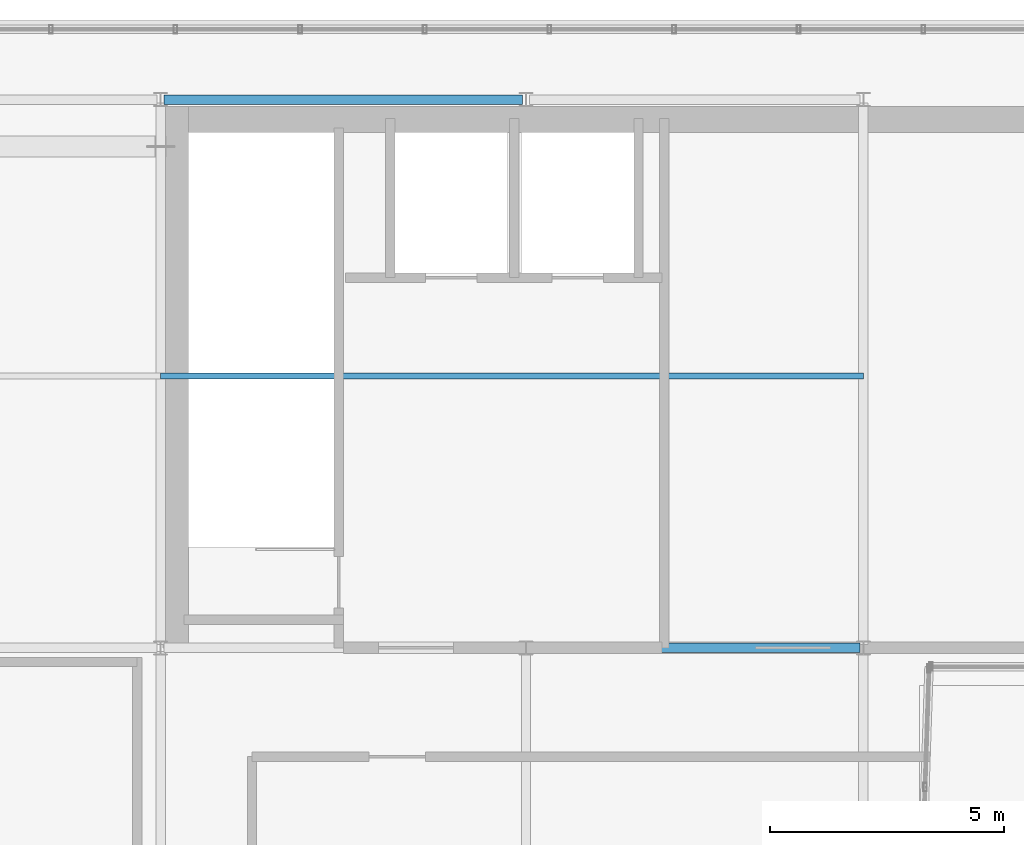
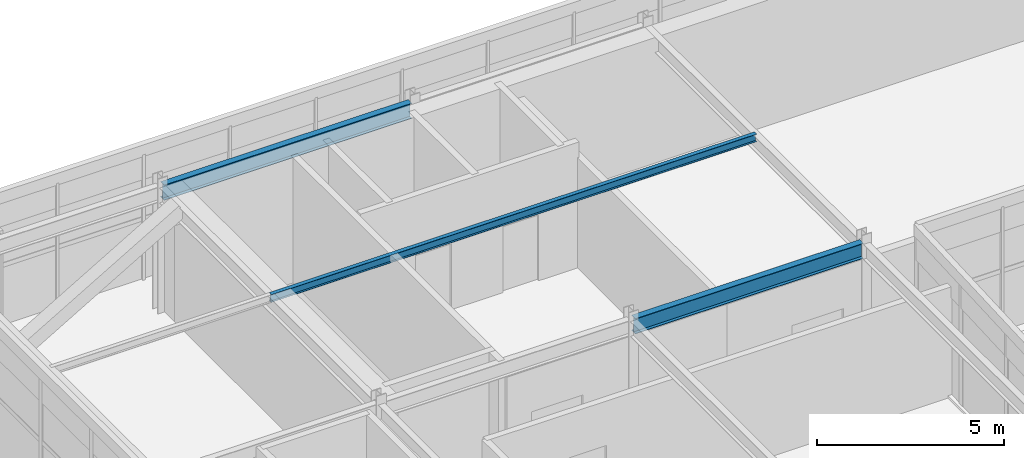
# One storey, part 12 of 37: 2 beams, 1 member.
"""IFC4 building model written with IfcOpenShell, lengths in metres."""

from ifc_helpers import new_model, si_unit, direction, frame, origin, origin_2d, place, context, subcontext, project, spatial, i_section, extrude, source, transform, mapped, material, material_profile, profile_set, type_object, element, save


model = new_model("IFC4")

# Units and contexts
model_context = context("Model", 3, precision=1e-05, world=origin(), true_north=direction((0.0, 1.0)))
body_context = subcontext(model_context, "Body", "Model", "MODEL_VIEW")
ifc_project = project(units=[si_unit("LENGTHUNIT", "METRE"), si_unit("AREAUNIT", "SQUARE_METRE"), si_unit("VOLUMEUNIT", "CUBIC_METRE"), si_unit("PLANEANGLEUNIT", "RADIAN"), si_unit("MASSUNIT", "GRAM", prefix="KILO")], contexts=[model_context])

# Site, building, storey
site_placement = place(None, origin())
site = spatial("IfcSite", under=ifc_project, at=site_placement, CompositionType="ELEMENT")
building_placement = place(site_placement, origin())
building = spatial("IfcBuilding", under=site, at=building_placement, Name="Trelvane Seafront Commons", CompositionType="ELEMENT")
storey_placement = place(building_placement, frame((0.0, 0.0, 303.5)))
storey = spatial("IfcBuildingStorey", under=building, at=storey_placement, Name="L79", CompositionType="ELEMENT", Elevation=303.5)

# Beams
ifc_material = material(Name="Steel SM355 (S355)", Category="steel")
ifc_material_profile_1 = material_profile(ifc_material, i_section(OverallWidth=0.199951171875, OverallDepth=0.5, WebThickness=0.010009765625, FlangeThickness=0.01611328125, at=origin_2d()), Name="H-500x200x10x16")
ifc_profile_set_1 = profile_set([ifc_material_profile_1], Name="Steel SM355 (S355)")
beam_type = type_object("IfcBeamType", Name="STR-CROWN-FRAME-RING", PredefinedType="SPANDREL", material=ifc_profile_set_1)
shared_shape_1 = source(origin(), body_context, "Body", "SweptSolid", [
    extrude(i_section(OverallWidth=0.199951171875, OverallDepth=0.5, WebThickness=0.010009765625, FlangeThickness=0.01611328125, at=origin_2d()), origin(), (0.0, 0.0, 1.0), 7.64990234375),
])
beam_1_placement = place(storey_placement, frame((15.675048828125, 45.10009765625, 3.85009765625), z_axis=(1.0, 0.0, 0.0), x_axis=(0.0, 1.0, 0.0)))
element("IfcBeam", 1, at=beam_1_placement, inside=storey, type_object=beam_type, Name="L79 CROWN FRAME Ring Beam G-16", PredefinedType="SPANDREL", context=body_context, shape_type="MappedRepresentation", body=[
    mapped(shared_shape_1, transform((0.0, 0.0, 0.0), x_axis=(1.0, 0.0, 0.0), y_axis=(0.0, 1.0, 0.0), z_axis=(0.0, 0.0, 1.0), scale=1.0)),
])
shared_shape_2 = source(origin(), body_context, "Body", "SweptSolid", [
    extrude(i_section(OverallWidth=0.199951171875, OverallDepth=0.5, WebThickness=0.010009765625, FlangeThickness=0.01611328125, at=origin_2d()), origin(), (0.0, 0.0, 1.0), 7.0498046875),
])
beam_2_placement = place(storey_placement, frame((23.47509765625, 33.39990234375, 3.85009765625), z_axis=(1.0, 0.0, 0.0), x_axis=(0.0, 1.0, 0.0)))
element("IfcBeam", 2, at=beam_2_placement, inside=storey, type_object=beam_type, Name="L79 CROWN FRAME Ring Beam G-10", PredefinedType="SPANDREL", context=body_context, shape_type="MappedRepresentation", body=[
    mapped(shared_shape_2, transform((0.0, 0.0, 0.0), x_axis=(1.0, 0.0, 0.0), y_axis=(0.0, 1.0, 0.0), z_axis=(0.0, 0.0, 1.0), scale=1.0)),
])

# Member
ifc_material_profile_2 = material_profile(ifc_material, i_section(OverallWidth=0.125, OverallDepth=0.25, WebThickness=0.006103515625, FlangeThickness=0.009033203125, at=origin_2d()), Name="H-250x125x6x9")
ifc_profile_set_2 = profile_set([ifc_material_profile_2], Name="Steel SM355 (S355)")
member_type = type_object("IfcMemberType", Name="STR-PUR-H250", PredefinedType="PURLIN", material=ifc_profile_set_2)
shared_shape_3 = source(origin(), body_context, "Body", "SweptSolid", [
    extrude(i_section(OverallWidth=0.125, OverallDepth=0.25, WebThickness=0.006103515625, FlangeThickness=0.009033203125, at=origin_2d()), origin(), (0.0, 0.0, 1.0), 15.0),
])
member_placement = place(storey_placement, frame((15.60009765625, 39.199951171875, 3.97509765625), z_axis=(1.0, 0.0, 0.0), x_axis=(0.0, 1.0, 0.0)))
element("IfcMember", 3, at=member_placement, inside=storey, type_object=member_type, Name="L79 Crown Roof Purlin PR-2", PredefinedType="PURLIN", context=body_context, shape_type="MappedRepresentation", body=[
    mapped(shared_shape_3, transform((0.0, 0.0, 0.0), x_axis=(1.0, 0.0, 0.0), y_axis=(0.0, 1.0, 0.0), z_axis=(0.0, 0.0, 1.0), scale=1.0)),
])

save(model, "model.ifc")
